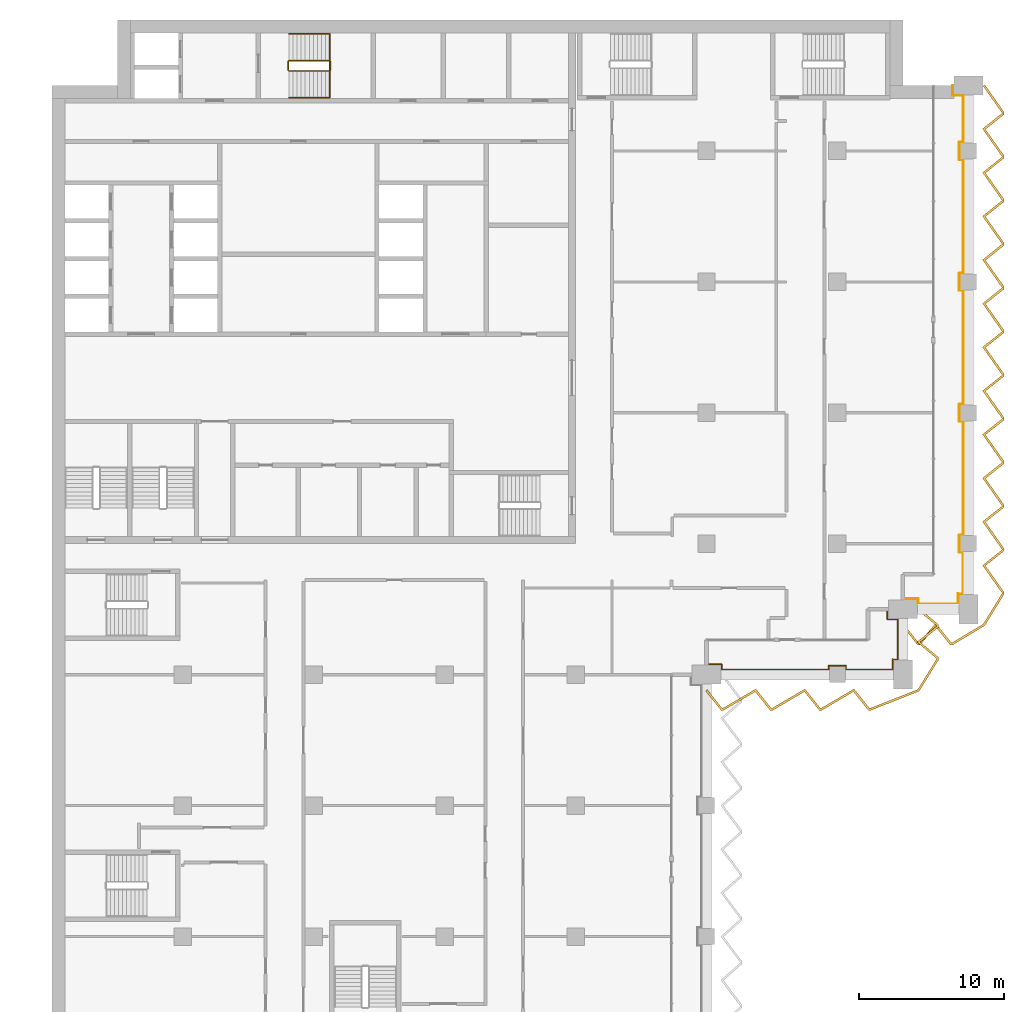
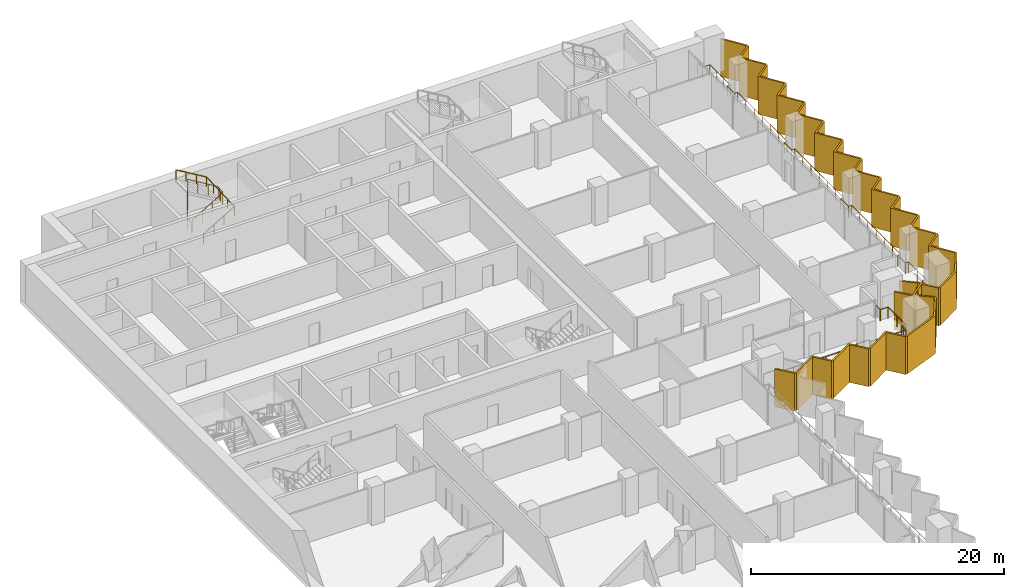
# One storey, part 21 of 22: 4 railings, 2 shading devices.
"""IFC4 building model written with IfcOpenShell, lengths in metres."""

import ifcopenshell
import ifcopenshell.guid

model = None  # the IFC model being written
_history = None  # IfcOwnerHistory: only IFC2X3 demands one
_inside = {}  # id of a spatial element -> (the spatial element, [elements in it])
_under = {}  # id of a project, library or spatial element -> (it, [spatial elements below it])
_declared = {}  # id of a project -> (the project, [libraries it declares])
_typed = {}  # id of a type object -> (the type object, [elements of that type])
_made_of = {}  # id of a material, layer set ... -> (it, [elements and type objects made of it])


def new_model(schema):
    """Start an empty IFC model of exactly this schema.

    Asked for "IFC4X3", IfcOpenShell would pick the latest addendum, in which some entities
    have other attributes; the version numbers below select the first issue.
    IFC2X3 requires an IfcOwnerHistory on every rooted entity: one is made here for all.
    """
    global model, _history
    if schema == "IFC4X3":
        model = ifcopenshell.file(schema_version=(4, 3, 0, 0))
    else:
        model = ifcopenshell.file(schema=schema)
    _inside.clear()
    _under.clear()
    _declared.clear()
    _typed.clear()
    _made_of.clear()
    _history = None
    if model.schema == "IFC2X3":
        org = make("IfcOrganization", Name="unknown")
        user = make(
            "IfcPersonAndOrganization",
            ThePerson=make("IfcPerson", FamilyName="unknown"),
            TheOrganization=org,
        )
        app = make(
            "IfcApplication",
            ApplicationDeveloper=org,
            Version="unknown",
            ApplicationFullName="unknown",
            ApplicationIdentifier="unknown",
        )
        _history = make(
            "IfcOwnerHistory",
            OwningUser=user,
            OwningApplication=app,
            ChangeAction="ADDED",
            CreationDate=0,
        )
    return model


def make(cls, **values):
    """One entity of the class cls with the attributes given. An attribute that is None is left unset."""
    return model.create_entity(
        cls, **{name: value for name, value in values.items() if value is not None}
    )


def rooted(cls, **values):
    """An entity with a GlobalId (a new one), such as an element, a storey or a relation."""
    return make(cls, GlobalId=ifcopenshell.guid.new(), OwnerHistory=_history, **values)


def si_unit(unit_type, name, prefix=None):
    """IfcSIUnit, for example si_unit("LENGTHUNIT", "METRE", prefix="MILLI")."""
    return make("IfcSIUnit", UnitType=unit_type, Prefix=prefix, Name=name)


def assignment(units):
    """IfcUnitAssignment: the units of a project."""
    return None if units is None else make("IfcUnitAssignment", Units=units)


def point(xyz):
    """IfcCartesianPoint."""
    return None if xyz is None else make("IfcCartesianPoint", Coordinates=xyz)


def direction(xyz):
    """IfcDirection."""
    return None if xyz is None else make("IfcDirection", DirectionRatios=xyz)


def frame(location, z_axis=None, x_axis=None):
    """IfcAxis2Placement3D, a coordinate frame: its origin and axes. An axis left out is left unset."""
    return make(
        "IfcAxis2Placement3D",
        Location=point(location),
        Axis=direction(z_axis),
        RefDirection=direction(x_axis),
    )


def frame_2d(location, x_axis=None):
    """IfcAxis2Placement2D, a coordinate frame in the plane: its origin and x axis."""
    return make(
        "IfcAxis2Placement2D", Location=point(location), RefDirection=direction(x_axis)
    )


def origin():
    """The frame at (0, 0, 0) with its axes left unset."""
    return frame((0.0, 0.0, 0.0))


def origin_2d():
    """The frame at (0, 0) in the plane with its x axis left unset."""
    return frame_2d((0.0, 0.0))


def place(relative_to, where):
    """IfcLocalPlacement: puts the frame where relative to a parent placement (None: the world)."""
    return make(
        "IfcLocalPlacement", PlacementRelTo=relative_to, RelativePlacement=where
    )


def context(
    kind, dimensions, precision=None, world=None, true_north=None, identifier=None
):
    """IfcGeometricRepresentationContext, for example the 3D "Model" context."""
    return make(
        "IfcGeometricRepresentationContext",
        ContextIdentifier=identifier,
        ContextType=kind,
        CoordinateSpaceDimension=dimensions,
        Precision=precision,
        WorldCoordinateSystem=world,
        TrueNorth=true_north,
    )


def subcontext(parent, identifier, kind, view, scale=None):
    """IfcGeometricRepresentationSubContext, for example "Body" below "Model"."""
    return make(
        "IfcGeometricRepresentationSubContext",
        ContextIdentifier=identifier,
        ContextType=kind,
        ParentContext=parent,
        TargetScale=scale,
        TargetView=view,
    )


def project(units=None, contexts=None):
    """IfcProject with its units and contexts."""
    return rooted(
        "IfcProject",
        Name="project",
        RepresentationContexts=contexts,
        UnitsInContext=assignment(units),
    )


def spatial(cls, under=None, at=None, **own):
    """A site, building, storey or space (cls), placed at a placement, below another one or the project."""
    s = rooted(cls, ObjectPlacement=at, **own)
    if under is not None:
        _under.setdefault(under.id(), (under, []))[1].append(s)
    return s


def polyline(points):
    """IfcPolyline through the points."""
    return make("IfcPolyline", Points=[point(p) for p in points])


def profile(cls, at=None, kind="AREA", **sizes):
    """A parametric profile (cls). Its sizes go by their IFC names, for example OverallWidth=200.0."""
    return make(cls, ProfileType=kind, Position=at, **sizes)


def circle(**sizes):
    """IfcCircleProfileDef."""
    return profile("IfcCircleProfileDef", **sizes)


def outline(outer, holes=None, kind="AREA"):
    """IfcArbitraryClosedProfileDef: a profile drawn as a closed curve; with holes, ...WithVoids."""
    if holes is None:
        return make("IfcArbitraryClosedProfileDef", ProfileType=kind, OuterCurve=outer)
    return make(
        "IfcArbitraryProfileDefWithVoids",
        ProfileType=kind,
        OuterCurve=outer,
        InnerCurves=holes,
    )


def extrude(swept, where, along, depth):
    """IfcExtrudedAreaSolid: the profile swept, set in the frame where, extruded along a direction by depth."""
    return make(
        "IfcExtrudedAreaSolid",
        SweptArea=swept,
        Position=where,
        ExtrudedDirection=direction(along),
        Depth=depth,
    )


def shape(context_of_items, identifier, shape_type, items):
    """IfcShapeRepresentation: the items that make up one representation, for example the "Body"."""
    return make(
        "IfcShapeRepresentation",
        ContextOfItems=context_of_items,
        RepresentationIdentifier=identifier,
        RepresentationType=shape_type,
        Items=items,
    )


def material(Name=None, Category=None):
    """IfcMaterial."""
    return make("IfcMaterial", Name=Name, Category=Category)


def layer(
    of_material, thickness, ventilated=None, Name=None, Category=None, Priority=None
):
    """IfcMaterialLayer: one layer of a wall or slab, of a material (None: an air gap)."""
    return make(
        "IfcMaterialLayer",
        Material=of_material,
        LayerThickness=thickness,
        IsVentilated=ventilated,
        Name=Name,
        Category=Category,
        Priority=Priority,
    )


def layer_set(layers, Name=None):
    """IfcMaterialLayerSet."""
    return make("IfcMaterialLayerSet", MaterialLayers=layers, LayerSetName=Name)


def made_of(thing, what):
    """Note that an element or type object is made of a material, layer set ...; save() writes the relation."""
    if what is not None:
        _made_of.setdefault(what.id(), (what, []))[1].append(thing)
    return thing


def type_object(cls, material=None, **own):
    """A type object (cls), such as IfcWallType, which elements share."""
    return made_of(rooted(cls, **own), material)


def element(
    cls,
    number,
    at=None,
    inside=None,
    cuts=None,
    type_object=None,
    material=None,
    context=None,
    identifier="Body",
    shape_type=None,
    held_by="IfcProductDefinitionShape",
    body=None,
    shapes=None,
    **own,
):
    """One element of the class cls, such as IfcWall. Its Tag is "e" and its number.

    at: its placement. inside: the storey or other place that contains it. cuts: it is an
    opening in that element (IfcRelVoidsElement). A single representation is given by context,
    identifier, shape_type and body (its items); several are given by shapes. held_by: the class
    of the entity that holds the representations. save() writes the other relations.
    """
    e = rooted(cls, Tag="e%d" % number, ObjectPlacement=at, **own)
    if body is not None:
        shapes = [shape(context, identifier, shape_type, body)]
    if shapes is not None:
        e.Representation = make(held_by, Representations=shapes)
    if inside is not None:
        _inside.setdefault(inside.id(), (inside, []))[1].append(e)
    if cuts is not None:
        rooted(
            "IfcRelVoidsElement", RelatingBuildingElement=cuts, RelatedOpeningElement=e
        )
    if type_object is not None:
        _typed.setdefault(type_object.id(), (type_object, []))[1].append(e)
    return made_of(e, material)


def aggregate(whole, parts):
    """IfcRelAggregates: a whole, such as a stair, and the parts it consists of."""
    return rooted("IfcRelAggregates", RelatingObject=whole, RelatedObjects=parts)


def save(model, path):
    """Write the relations noted so far, then the file.

    IfcRelAggregates (storeys below a building ...), IfcRelContainedInSpatialStructure (elements
    in a storey), IfcRelDefinesByType, IfcRelAssociatesMaterial and IfcRelDeclares: one each for
    every whole, place, type object, material and project.
    """
    for whole, parts in _under.values():
        aggregate(whole, parts)
    for where, things in _inside.values():
        rooted(
            "IfcRelContainedInSpatialStructure",
            RelatedElements=things,
            RelatingStructure=where,
        )
    for kind, things in _typed.values():
        rooted("IfcRelDefinesByType", RelatedObjects=things, RelatingType=kind)
    for what, things in _made_of.values():
        rooted("IfcRelAssociatesMaterial", RelatedObjects=things, RelatingMaterial=what)
    for by, libraries in _declared.values():
        rooted("IfcRelDeclares", RelatingContext=by, RelatedDefinitions=libraries)
    model.write(path)


model = new_model("IFC4")

# Units and contexts
model_context = context("Model", 3, precision=1e-05, world=origin(), true_north=direction((0.0, 1.0)))
body_context = subcontext(model_context, "Body", "Model", "MODEL_VIEW")
ifc_project = project(units=[si_unit("LENGTHUNIT", "METRE"), si_unit("AREAUNIT", "SQUARE_METRE"), si_unit("VOLUMEUNIT", "CUBIC_METRE"), si_unit("PLANEANGLEUNIT", "RADIAN"), si_unit("MASSUNIT", "GRAM", prefix="KILO")], contexts=[model_context])

# Site, building, storey
site_placement = place(None, origin())
site = spatial("IfcSite", under=ifc_project, at=site_placement, CompositionType="ELEMENT")
building_placement = place(site_placement, origin())
building = spatial("IfcBuilding", under=site, at=building_placement, Name="Hunhe Ridgeline Campus", CompositionType="ELEMENT")
storey_placement = place(building_placement, frame((0.0, 0.0, 159.699951171875)))
storey = spatial("IfcBuildingStorey", under=building, at=storey_placement, Name="L40", CompositionType="ELEMENT", Elevation=159.699951171875)

# Railings
ifc_material_1 = material(Name="Steel Q355", Category="steel")
railing_type_1 = type_object("IfcRailingType", Name="Loggia guard 1100 Steel Q355", PredefinedType="GUARDRAIL", material=ifc_material_1)
railing_1_placement = place(storey_placement, frame((45.0, 54.719970703125, 0.0)))
element("IfcRailing", 1, at=railing_1_placement, inside=storey, type_object=railing_type_1, Name="Loggia guard 2", PredefinedType="GUARDRAIL", context=body_context, shape_type="SweptSolid", body=[
    extrude(circle(Radius=0.02392578125, at=origin_2d()), frame((0.0, 0.0, 1.076171875), z_axis=(1.0, 0.0, 0.0), x_axis=(0.0, 1.0, 0.0)), (0.0, 0.0, 1.0), 1.050048828125),
    extrude(circle(Radius=0.02392578125, at=origin_2d()), frame((1.050048828125, 0.0, 1.076171875), z_axis=(0.0, -1.0, 0.0), x_axis=(1.0, 0.0, 0.0)), (0.0, 0.0, 1.0), 0.369873046875),
    extrude(circle(Radius=0.02392578125, at=origin_2d()), frame((1.050048828125, -0.369873046875, 1.076171875), z_axis=(1.0, 0.0, 0.0), x_axis=(0.0, 1.0, 0.0)), (0.0, 0.0, 1.0), 7.349853515625),
    extrude(circle(Radius=0.02392578125, at=origin_2d()), frame((8.39990234375, -0.369873046875, 1.076171875), z_axis=(0.0, 1.0, 0.0), x_axis=(-1.0, 0.0, 0.0)), (0.0, 0.0, 1.0), 0.27001953125),
    extrude(circle(Radius=0.02392578125, at=origin_2d()), frame((8.39990234375, -0.099853515625, 1.076171875), z_axis=(1.0, 0.0, 0.0), x_axis=(0.0, 1.0, 0.0)), (0.0, 0.0, 1.0), 1.2001953125),
    extrude(circle(Radius=0.02392578125, at=origin_2d()), frame((9.60009765625, -0.099853515625, 1.076171875), z_axis=(0.0, -1.0, 0.0), x_axis=(1.0, 0.0, 0.0)), (0.0, 0.0, 1.0), 0.27001953125),
    extrude(circle(Radius=0.02392578125, at=origin_2d()), frame((9.60009765625, -0.369873046875, 1.076171875), z_axis=(1.0, 0.0, 0.0), x_axis=(0.0, 1.0, 0.0)), (0.0, 0.0, 1.0), 3.199951171875),
    extrude(circle(Radius=0.02392578125, at=origin_2d()), frame((12.800048828125, -0.369873046875, 1.076171875), z_axis=(0.0, 1.0, 0.0), x_axis=(-1.0, 0.0, 0.0)), (0.0, 0.0, 1.0), 0.719970703125),
    extrude(circle(Radius=0.02392578125, at=origin_2d()), frame((12.800048828125, 0.35009765625, 1.076171875), z_axis=(-0.057089444596, -0.998369067688, 0.0), x_axis=(0.998369067688, -0.057089444596, 0.0)), (0.0, 0.0, 1.0), 0.3505859375),
    extrude(circle(Radius=0.02392578125, at=origin_2d()), frame((12.780029296875, 0.0, 1.076171875), z_axis=(0.0, 1.0, 0.0), x_axis=(-1.0, 0.0, 0.0)), (0.0, 0.0, 1.0), 0.330078125),
    extrude(circle(Radius=0.02392578125, at=origin_2d()), frame((12.780029296875, 0.330078125, 1.076171875), z_axis=(1.0, 0.0, 0.0), x_axis=(0.0, 1.0, 0.0)), (0.0, 0.0, 1.0), 0.369873046875),
    extrude(circle(Radius=0.02392578125, at=origin_2d()), frame((13.14990234375, 0.330078125, 1.076171875), z_axis=(0.0, 1.0, 0.0), x_axis=(-1.0, 0.0, 0.0)), (0.0, 0.0, 1.0), 2.75),
    extrude(circle(Radius=0.02392578125, at=origin_2d()), frame((13.14990234375, 3.080078125, 1.076171875), z_axis=(-1.0, 0.0, 0.0), x_axis=(0.0, -1.0, 0.0)), (0.0, 0.0, 1.0), 0.719970703125),
    extrude(circle(Radius=0.02392578125, at=origin_2d()), frame((12.429931640625, 3.080078125, 1.076171875), z_axis=(0.0, 1.0, 0.0), x_axis=(-1.0, 0.0, 0.0)), (0.0, 0.0, 1.0), 0.699951171875),
    extrude(circle(Radius=0.02099609375, at=origin_2d()), origin(), (0.0, 0.0, 1.0), 1.052001953125),
    extrude(circle(Radius=0.02099609375, at=origin_2d()), frame((1.050048828125, 0.0, 0.0)), (0.0, 0.0, 1.0), 1.052001953125),
    extrude(circle(Radius=0.02099609375, at=origin_2d()), frame((1.050048828125, -0.369873046875, 0.0)), (0.0, 0.0, 1.0), 1.052001953125),
    extrude(circle(Radius=0.02099609375, at=origin_2d()), frame((2.52001953125, -0.369873046875, 0.0)), (0.0, 0.0, 1.0), 1.052001953125),
    extrude(circle(Radius=0.02099609375, at=origin_2d()), frame((3.989990234375, -0.369873046875, 0.0)), (0.0, 0.0, 1.0), 1.052001953125),
    extrude(circle(Radius=0.02099609375, at=origin_2d()), frame((5.4599609375, -0.369873046875, 0.0)), (0.0, 0.0, 1.0), 1.052001953125),
    extrude(circle(Radius=0.02099609375, at=origin_2d()), frame((6.929931640625, -0.369873046875, 0.0)), (0.0, 0.0, 1.0), 1.052001953125),
    extrude(circle(Radius=0.02099609375, at=origin_2d()), frame((8.39990234375, -0.369873046875, 0.0)), (0.0, 0.0, 1.0), 1.052001953125),
    extrude(circle(Radius=0.02099609375, at=origin_2d()), frame((8.39990234375, -0.099853515625, 0.0)), (0.0, 0.0, 1.0), 1.052001953125),
    extrude(circle(Radius=0.02099609375, at=origin_2d()), frame((9.60009765625, -0.099853515625, 0.0)), (0.0, 0.0, 1.0), 1.052001953125),
    extrude(circle(Radius=0.02099609375, at=origin_2d()), frame((9.60009765625, -0.369873046875, 0.0)), (0.0, 0.0, 1.0), 1.052001953125),
    extrude(circle(Radius=0.02099609375, at=origin_2d()), frame((10.666748046875, -0.369873046875, 0.0)), (0.0, 0.0, 1.0), 1.052001953125),
    extrude(circle(Radius=0.02099609375, at=origin_2d()), frame((11.7333984375, -0.369873046875, 0.0)), (0.0, 0.0, 1.0), 1.052001953125),
    extrude(circle(Radius=0.02099609375, at=origin_2d()), frame((12.800048828125, -0.369873046875, 0.0)), (0.0, 0.0, 1.0), 1.052001953125),
    extrude(circle(Radius=0.02099609375, at=origin_2d()), frame((12.800048828125, 0.35009765625, 0.0)), (0.0, 0.0, 1.0), 1.052001953125),
    extrude(circle(Radius=0.02099609375, at=origin_2d()), frame((12.780029296875, 0.0, 0.0)), (0.0, 0.0, 1.0), 1.052001953125),
    extrude(circle(Radius=0.02099609375, at=origin_2d()), frame((12.780029296875, 0.330078125, 0.0)), (0.0, 0.0, 1.0), 1.052001953125),
    extrude(circle(Radius=0.02099609375, at=origin_2d()), frame((13.14990234375, 0.330078125, 0.0)), (0.0, 0.0, 1.0), 1.052001953125),
    extrude(circle(Radius=0.02099609375, at=origin_2d()), frame((13.14990234375, 1.705078125, 0.0)), (0.0, 0.0, 1.0), 1.052001953125),
    extrude(circle(Radius=0.02099609375, at=origin_2d()), frame((13.14990234375, 3.080078125, 0.0)), (0.0, 0.0, 1.0), 1.052001953125),
    extrude(circle(Radius=0.02099609375, at=origin_2d()), frame((12.429931640625, 3.080078125, 0.0)), (0.0, 0.0, 1.0), 1.052001953125),
    extrude(circle(Radius=0.02099609375, at=origin_2d()), frame((12.429931640625, 3.780029296875, 0.0)), (0.0, 0.0, 1.0), 1.052001953125),
])
railing_2_placement = place(storey_placement, frame((58.5, 59.219970703125, 0.0)))
element("IfcRailing", 2, at=railing_2_placement, inside=storey, type_object=railing_type_1, Name="Loggia guard 3", PredefinedType="GUARDRAIL", context=body_context, shape_type="SweptSolid", body=[
    extrude(circle(Radius=0.02392578125, at=origin_2d()), frame((0.0, 0.0, 1.076171875), z_axis=(1.0, 0.0, 0.0), x_axis=(0.0, 1.0, 0.0)), (0.0, 0.0, 1.0), 1.050048828125),
    extrude(circle(Radius=0.02392578125, at=origin_2d()), frame((1.050048828125, 0.0, 1.076171875), z_axis=(0.0, -1.0, 0.0), x_axis=(1.0, 0.0, 0.0)), (0.0, 0.0, 1.0), 0.369873046875),
    extrude(circle(Radius=0.02392578125, at=origin_2d()), frame((1.050048828125, -0.369873046875, 1.076171875), z_axis=(1.0, 0.0, 0.0), x_axis=(0.0, 1.0, 0.0)), (0.0, 0.0, 1.0), 2.75),
    extrude(circle(Radius=0.02392578125, at=origin_2d()), frame((3.800048828125, -0.369873046875, 1.076171875), z_axis=(0.0, 1.0, 0.0), x_axis=(-1.0, 0.0, 0.0)), (0.0, 0.0, 1.0), 0.719970703125),
    extrude(circle(Radius=0.02392578125, at=origin_2d()), frame((3.800048828125, 0.35009765625, 1.076171875), z_axis=(-0.057089444596, -0.998369067688, 0.0), x_axis=(0.998369067688, -0.057089444596, 0.0)), (0.0, 0.0, 1.0), 0.3505859375),
    extrude(circle(Radius=0.02392578125, at=origin_2d()), frame((3.780029296875, 0.0, 1.076171875), z_axis=(0.0, 1.0, 0.0), x_axis=(-1.0, 0.0, 0.0)), (0.0, 0.0, 1.0), 0.330078125),
    extrude(circle(Radius=0.02392578125, at=origin_2d()), frame((3.780029296875, 0.330078125, 1.076171875), z_axis=(1.0, 0.0, 0.0), x_axis=(0.0, 1.0, 0.0)), (0.0, 0.0, 1.0), 0.369873046875),
    extrude(circle(Radius=0.02392578125, at=origin_2d()), frame((4.14990234375, 0.330078125, 1.076171875), z_axis=(0.0, 1.0, 0.0), x_axis=(-1.0, 0.0, 0.0)), (0.0, 0.0, 1.0), 2.849853515625),
    extrude(circle(Radius=0.02392578125, at=origin_2d()), frame((4.14990234375, 3.179931640625, 1.076171875), z_axis=(-1.0, 0.0, 0.0), x_axis=(0.0, -1.0, 0.0)), (0.0, 0.0, 1.0), 0.27001953125),
    extrude(circle(Radius=0.02392578125, at=origin_2d()), frame((3.8798828125, 3.179931640625, 1.076171875), z_axis=(0.0, 1.0, 0.0), x_axis=(-1.0, 0.0, 0.0)), (0.0, 0.0, 1.0), 1.2001953125),
    extrude(circle(Radius=0.02392578125, at=origin_2d()), frame((3.8798828125, 4.380126953125, 1.076171875), z_axis=(1.0, 0.0, 0.0), x_axis=(0.0, 1.0, 0.0)), (0.0, 0.0, 1.0), 0.27001953125),
    extrude(circle(Radius=0.02392578125, at=origin_2d()), frame((4.14990234375, 4.380126953125, 1.076171875), z_axis=(0.0, 1.0, 0.0), x_axis=(-1.0, 0.0, 0.0)), (0.0, 0.0, 1.0), 7.7998046875),
    extrude(circle(Radius=0.02392578125, at=origin_2d()), frame((4.14990234375, 12.179931640625, 1.076171875), z_axis=(-1.0, 0.0, 0.0), x_axis=(0.0, -1.0, 0.0)), (0.0, 0.0, 1.0), 0.27001953125),
    extrude(circle(Radius=0.02392578125, at=origin_2d()), frame((3.8798828125, 12.179931640625, 1.076171875), z_axis=(0.0, 1.0, 0.0), x_axis=(-1.0, 0.0, 0.0)), (0.0, 0.0, 1.0), 1.2001953125),
    extrude(circle(Radius=0.02392578125, at=origin_2d()), frame((3.8798828125, 13.380126953125, 1.076171875), z_axis=(1.0, 0.0, 0.0), x_axis=(0.0, 1.0, 0.0)), (0.0, 0.0, 1.0), 0.27001953125),
    extrude(circle(Radius=0.02392578125, at=origin_2d()), frame((4.14990234375, 13.380126953125, 1.076171875), z_axis=(0.0, 1.0, 0.0), x_axis=(-1.0, 0.0, 0.0)), (0.0, 0.0, 1.0), 7.7998046875),
    extrude(circle(Radius=0.02392578125, at=origin_2d()), frame((4.14990234375, 21.179931640625, 1.076171875), z_axis=(-1.0, 0.0, 0.0), x_axis=(0.0, -1.0, 0.0)), (0.0, 0.0, 1.0), 0.27001953125),
    extrude(circle(Radius=0.02392578125, at=origin_2d()), frame((3.8798828125, 21.179931640625, 1.076171875), z_axis=(0.0, 1.0, 0.0), x_axis=(-1.0, 0.0, 0.0)), (0.0, 0.0, 1.0), 1.2001953125),
    extrude(circle(Radius=0.02392578125, at=origin_2d()), frame((3.8798828125, 22.380126953125, 1.076171875), z_axis=(1.0, 0.0, 0.0), x_axis=(0.0, 1.0, 0.0)), (0.0, 0.0, 1.0), 0.27001953125),
    extrude(circle(Radius=0.02392578125, at=origin_2d()), frame((4.14990234375, 22.380126953125, 1.076171875), z_axis=(0.0, 1.0, 0.0), x_axis=(-1.0, 0.0, 0.0)), (0.0, 0.0, 1.0), 7.7998046875),
    extrude(circle(Radius=0.02392578125, at=origin_2d()), frame((4.14990234375, 30.179931640625, 1.076171875), z_axis=(-1.0, 0.0, 0.0), x_axis=(0.0, -1.0, 0.0)), (0.0, 0.0, 1.0), 0.27001953125),
    extrude(circle(Radius=0.02392578125, at=origin_2d()), frame((3.8798828125, 30.179931640625, 1.076171875), z_axis=(0.0, 1.0, 0.0), x_axis=(-1.0, 0.0, 0.0)), (0.0, 0.0, 1.0), 1.2001953125),
    extrude(circle(Radius=0.02392578125, at=origin_2d()), frame((3.8798828125, 31.380126953125, 1.076171875), z_axis=(1.0, 0.0, 0.0), x_axis=(0.0, 1.0, 0.0)), (0.0, 0.0, 1.0), 0.27001953125),
    extrude(circle(Radius=0.02392578125, at=origin_2d()), frame((4.14990234375, 31.380126953125, 1.076171875), z_axis=(0.0, 1.0, 0.0), x_axis=(-1.0, 0.0, 0.0)), (0.0, 0.0, 1.0), 3.199951171875),
    extrude(circle(Radius=0.02392578125, at=origin_2d()), frame((4.14990234375, 34.580078125, 1.076171875), z_axis=(-1.0, 0.0, 0.0), x_axis=(0.0, -1.0, 0.0)), (0.0, 0.0, 1.0), 0.719970703125),
    extrude(circle(Radius=0.02392578125, at=origin_2d()), frame((3.429931640625, 34.580078125, 1.076171875), z_axis=(0.0, 1.0, 0.0), x_axis=(-1.0, 0.0, 0.0)), (0.0, 0.0, 1.0), 0.699951171875),
    extrude(circle(Radius=0.02099609375, at=origin_2d()), origin(), (0.0, 0.0, 1.0), 1.052001953125),
    extrude(circle(Radius=0.02099609375, at=origin_2d()), frame((1.050048828125, 0.0, 0.0)), (0.0, 0.0, 1.0), 1.052001953125),
    extrude(circle(Radius=0.02099609375, at=origin_2d()), frame((1.050048828125, -0.369873046875, 0.0)), (0.0, 0.0, 1.0), 1.052001953125),
    extrude(circle(Radius=0.02099609375, at=origin_2d()), frame((2.425048828125, -0.369873046875, 0.0)), (0.0, 0.0, 1.0), 1.052001953125),
    extrude(circle(Radius=0.02099609375, at=origin_2d()), frame((3.800048828125, -0.369873046875, 0.0)), (0.0, 0.0, 1.0), 1.052001953125),
    extrude(circle(Radius=0.02099609375, at=origin_2d()), frame((3.800048828125, 0.35009765625, 0.0)), (0.0, 0.0, 1.0), 1.052001953125),
    extrude(circle(Radius=0.02099609375, at=origin_2d()), frame((3.780029296875, 0.0, 0.0)), (0.0, 0.0, 1.0), 1.052001953125),
    extrude(circle(Radius=0.02099609375, at=origin_2d()), frame((3.780029296875, 0.330078125, 0.0)), (0.0, 0.0, 1.0), 1.052001953125),
    extrude(circle(Radius=0.02099609375, at=origin_2d()), frame((4.14990234375, 0.330078125, 0.0)), (0.0, 0.0, 1.0), 1.052001953125),
    extrude(circle(Radius=0.02099609375, at=origin_2d()), frame((4.14990234375, 1.7548828125, 0.0)), (0.0, 0.0, 1.0), 1.052001953125),
    extrude(circle(Radius=0.02099609375, at=origin_2d()), frame((4.14990234375, 3.179931640625, 0.0)), (0.0, 0.0, 1.0), 1.052001953125),
    extrude(circle(Radius=0.02099609375, at=origin_2d()), frame((3.8798828125, 3.179931640625, 0.0)), (0.0, 0.0, 1.0), 1.052001953125),
    extrude(circle(Radius=0.02099609375, at=origin_2d()), frame((3.8798828125, 4.380126953125, 0.0)), (0.0, 0.0, 1.0), 1.052001953125),
    extrude(circle(Radius=0.02099609375, at=origin_2d()), frame((4.14990234375, 4.380126953125, 0.0)), (0.0, 0.0, 1.0), 1.052001953125),
    extrude(circle(Radius=0.02099609375, at=origin_2d()), frame((4.14990234375, 5.68017578125, 0.0)), (0.0, 0.0, 1.0), 1.052001953125),
    extrude(circle(Radius=0.02099609375, at=origin_2d()), frame((4.14990234375, 6.97998046875, 0.0)), (0.0, 0.0, 1.0), 1.052001953125),
    extrude(circle(Radius=0.02099609375, at=origin_2d()), frame((4.14990234375, 8.280029296875, 0.0)), (0.0, 0.0, 1.0), 1.052001953125),
    extrude(circle(Radius=0.02099609375, at=origin_2d()), frame((4.14990234375, 9.580078125, 0.0)), (0.0, 0.0, 1.0), 1.052001953125),
    extrude(circle(Radius=0.02099609375, at=origin_2d()), frame((4.14990234375, 10.8798828125, 0.0)), (0.0, 0.0, 1.0), 1.052001953125),
    extrude(circle(Radius=0.02099609375, at=origin_2d()), frame((4.14990234375, 12.179931640625, 0.0)), (0.0, 0.0, 1.0), 1.052001953125),
    extrude(circle(Radius=0.02099609375, at=origin_2d()), frame((3.8798828125, 12.179931640625, 0.0)), (0.0, 0.0, 1.0), 1.052001953125),
    extrude(circle(Radius=0.02099609375, at=origin_2d()), frame((3.8798828125, 13.380126953125, 0.0)), (0.0, 0.0, 1.0), 1.052001953125),
    extrude(circle(Radius=0.02099609375, at=origin_2d()), frame((4.14990234375, 13.380126953125, 0.0)), (0.0, 0.0, 1.0), 1.052001953125),
    extrude(circle(Radius=0.02099609375, at=origin_2d()), frame((4.14990234375, 14.68017578125, 0.0)), (0.0, 0.0, 1.0), 1.052001953125),
    extrude(circle(Radius=0.02099609375, at=origin_2d()), frame((4.14990234375, 15.97998046875, 0.0)), (0.0, 0.0, 1.0), 1.052001953125),
    extrude(circle(Radius=0.02099609375, at=origin_2d()), frame((4.14990234375, 17.280029296875, 0.0)), (0.0, 0.0, 1.0), 1.052001953125),
    extrude(circle(Radius=0.02099609375, at=origin_2d()), frame((4.14990234375, 18.580078125, 0.0)), (0.0, 0.0, 1.0), 1.052001953125),
    extrude(circle(Radius=0.02099609375, at=origin_2d()), frame((4.14990234375, 19.8798828125, 0.0)), (0.0, 0.0, 1.0), 1.052001953125),
    extrude(circle(Radius=0.02099609375, at=origin_2d()), frame((4.14990234375, 21.179931640625, 0.0)), (0.0, 0.0, 1.0), 1.052001953125),
    extrude(circle(Radius=0.02099609375, at=origin_2d()), frame((3.8798828125, 21.179931640625, 0.0)), (0.0, 0.0, 1.0), 1.052001953125),
    extrude(circle(Radius=0.02099609375, at=origin_2d()), frame((3.8798828125, 22.380126953125, 0.0)), (0.0, 0.0, 1.0), 1.052001953125),
    extrude(circle(Radius=0.02099609375, at=origin_2d()), frame((4.14990234375, 22.380126953125, 0.0)), (0.0, 0.0, 1.0), 1.052001953125),
    extrude(circle(Radius=0.02099609375, at=origin_2d()), frame((4.14990234375, 23.68017578125, 0.0)), (0.0, 0.0, 1.0), 1.052001953125),
    extrude(circle(Radius=0.02099609375, at=origin_2d()), frame((4.14990234375, 24.97998046875, 0.0)), (0.0, 0.0, 1.0), 1.052001953125),
    extrude(circle(Radius=0.02099609375, at=origin_2d()), frame((4.14990234375, 26.280029296875, 0.0)), (0.0, 0.0, 1.0), 1.052001953125),
    extrude(circle(Radius=0.02099609375, at=origin_2d()), frame((4.14990234375, 27.580078125, 0.0)), (0.0, 0.0, 1.0), 1.052001953125),
    extrude(circle(Radius=0.02099609375, at=origin_2d()), frame((4.14990234375, 28.8798828125, 0.0)), (0.0, 0.0, 1.0), 1.052001953125),
    extrude(circle(Radius=0.02099609375, at=origin_2d()), frame((4.14990234375, 30.179931640625, 0.0)), (0.0, 0.0, 1.0), 1.052001953125),
    extrude(circle(Radius=0.02099609375, at=origin_2d()), frame((3.8798828125, 30.179931640625, 0.0)), (0.0, 0.0, 1.0), 1.052001953125),
    extrude(circle(Radius=0.02099609375, at=origin_2d()), frame((3.8798828125, 31.380126953125, 0.0)), (0.0, 0.0, 1.0), 1.052001953125),
    extrude(circle(Radius=0.02099609375, at=origin_2d()), frame((4.14990234375, 31.380126953125, 0.0)), (0.0, 0.0, 1.0), 1.052001953125),
    extrude(circle(Radius=0.02099609375, at=origin_2d()), frame((4.14990234375, 32.44677734375, 0.0)), (0.0, 0.0, 1.0), 1.052001953125),
    extrude(circle(Radius=0.02099609375, at=origin_2d()), frame((4.14990234375, 33.513427734375, 0.0)), (0.0, 0.0, 1.0), 1.052001953125),
    extrude(circle(Radius=0.02099609375, at=origin_2d()), frame((4.14990234375, 34.580078125, 0.0)), (0.0, 0.0, 1.0), 1.052001953125),
    extrude(circle(Radius=0.02099609375, at=origin_2d()), frame((3.429931640625, 34.580078125, 0.0)), (0.0, 0.0, 1.0), 1.052001953125),
    extrude(circle(Radius=0.02099609375, at=origin_2d()), frame((3.429931640625, 35.280029296875, 0.0)), (0.0, 0.0, 1.0), 1.052001953125),
])

# Shading devices
ifc_material_2 = material(Name="Concrete C50", Category="concrete")
ifc_layer = layer(ifc_material_2, 0.14990234375)
ifc_layer_set = layer_set([ifc_layer], Name="Sawtooth concrete fin 150 Concrete C50")
shading_device_type = type_object("IfcShadingDeviceType", Name="Sawtooth concrete fin 150 Concrete C50", PredefinedType="USERDEFINED", material=ifc_layer_set)
shading_device_1_placement = place(storey_placement, frame((0.0, 0.0, -0.949951171875)))
element("IfcShadingDevice", 3, at=shading_device_1_placement, inside=storey, type_object=shading_device_type, Name="Concrete fin screen 2", ObjectType="FIN", PredefinedType="USERDEFINED", context=body_context, shape_type="SweptSolid", body=[
    extrude(outline(polyline([(45.05859375, 52.9716796875), (44.94140625, 52.878173828125), (46.000732421875, 51.550048828125), (46.17724609375, 51.550048828125), (48.35693359375, 52.827392578125), (49.375732421875, 51.550048828125), (49.55224609375, 51.550048828125), (51.73193359375, 52.827392578125), (52.750732421875, 51.550048828125), (52.92724609375, 51.550048828125), (55.10693359375, 52.827392578125), (56.125732421875, 51.550048828125), (56.296142578125, 51.550048828125), (59.625732421875, 52.864501953125), (60.949951171875, 55.015625), (60.949951171875, 55.19189453125), (59.693359375, 56.24853515625), (60.949951171875, 57.250732421875), (60.949951171875, 57.44189453125), (59.623291015625, 58.557373046875), (59.526611328125, 58.442626953125), (60.800048828125, 57.371826171875), (60.800048828125, 57.322998046875), (59.45654296875, 56.25146484375), (60.800048828125, 55.121826171875), (60.800048828125, 55.05810546875), (59.524169921875, 52.985595703125), (56.267578125, 51.699951171875), (56.197998046875, 51.699951171875), (55.14306640625, 53.0224609375), (52.886474609375, 51.699951171875), (52.822998046875, 51.699951171875), (51.76806640625, 53.0224609375), (49.511474609375, 51.699951171875), (49.447998046875, 51.699951171875), (48.39306640625, 53.0224609375), (46.136474609375, 51.699951171875), (46.072998046875, 51.699951171875), (45.05859375, 52.9716796875)])), origin(), (0.0, 0.0, 1.0), 3.64990234375),
])
shading_device_2_placement = place(storey_placement, frame((0.0, 0.0, -0.949951171875)))
element("IfcShadingDevice", 4, at=shading_device_2_placement, inside=storey, type_object=shading_device_type, Name="Concrete fin screen 3", ObjectType="FIN", PredefinedType="USERDEFINED", context=body_context, shape_type="SweptSolid", body=[
    extrude(outline(polyline([(58.55859375, 57.4716796875), (58.44140625, 57.378173828125), (59.500732421875, 56.050048828125), (59.69189453125, 56.050048828125), (60.74853515625, 57.306640625), (61.750732421875, 56.050048828125), (61.927490234375, 56.050048828125), (64.129150390625, 57.3701171875), (65.449951171875, 59.515625), (65.449951171875, 59.6806640625), (64.177001953125, 61.4853515625), (65.449951171875, 62.500732421875), (65.449951171875, 62.6806640625), (64.177001953125, 64.4853515625), (65.449951171875, 65.500732421875), (65.449951171875, 65.6806640625), (64.177001953125, 67.4853515625), (65.449951171875, 68.500732421875), (65.449951171875, 68.6806640625), (64.177001953125, 70.4853515625), (65.449951171875, 71.500732421875), (65.449951171875, 71.6806640625), (64.177001953125, 73.4853515625), (65.449951171875, 74.500732421875), (65.449951171875, 74.6806640625), (64.177001953125, 76.4853515625), (65.449951171875, 77.500732421875), (65.449951171875, 77.6806640625), (64.177001953125, 79.4853515625), (65.449951171875, 80.500732421875), (65.449951171875, 80.6806640625), (64.177001953125, 82.4853515625), (65.449951171875, 83.500732421875), (65.449951171875, 83.6806640625), (64.177001953125, 85.4853515625), (65.449951171875, 86.500732421875), (65.449951171875, 86.6806640625), (64.177001953125, 88.4853515625), (65.449951171875, 89.500732421875), (65.449951171875, 89.6806640625), (64.177001953125, 91.4853515625), (65.449951171875, 92.500732421875), (65.449951171875, 92.6806640625), (64.13623046875, 94.543212890625), (64.013671875, 94.456787109375), (65.300048828125, 92.633056640625), (65.300048828125, 92.572998046875), (63.972900390625, 91.5146484375), (65.300048828125, 89.633056640625), (65.300048828125, 89.572998046875), (63.972900390625, 88.5146484375), (65.300048828125, 86.633056640625), (65.300048828125, 86.572998046875), (63.972900390625, 85.5146484375), (65.300048828125, 83.633056640625), (65.300048828125, 83.572998046875), (63.972900390625, 82.5146484375), (65.300048828125, 80.633056640625), (65.300048828125, 80.572998046875), (63.972900390625, 79.5146484375), (65.300048828125, 77.633056640625), (65.300048828125, 77.572998046875), (63.972900390625, 76.5146484375), (65.300048828125, 74.633056640625), (65.300048828125, 74.572998046875), (63.972900390625, 73.5146484375), (65.300048828125, 71.633056640625), (65.300048828125, 71.572998046875), (63.972900390625, 70.5146484375), (65.300048828125, 68.633056640625), (65.300048828125, 68.572998046875), (63.972900390625, 67.5146484375), (65.300048828125, 65.633056640625), (65.300048828125, 65.572998046875), (63.972900390625, 64.5146484375), (65.300048828125, 62.633056640625), (65.300048828125, 62.572998046875), (63.972900390625, 61.5146484375), (65.300048828125, 59.633056640625), (65.300048828125, 59.55810546875), (64.020751953125, 57.47998046875), (61.885986328125, 56.199951171875), (61.822998046875, 56.199951171875), (60.75146484375, 57.54345703125), (59.621826171875, 56.199951171875), (59.572998046875, 56.199951171875), (58.55859375, 57.4716796875)])), origin(), (0.0, 0.0, 1.0), 3.64990234375),
])

# Railings
ifc_material_3 = material(Name="Stainless steel balustrade", Category="steel")
railing_type_2 = type_object("IfcRailingType", Name="Stair guard 1100 stainless", PredefinedType="GUARDRAIL", material=ifc_material_3)
railing_3_placement = place(storey_placement, frame((16.300048828125, 95.5, 0.168212890625)))
element("IfcRailing", 5, at=railing_3_placement, inside=storey, type_object=railing_type_2, Name="L40 stair S1 guard", PredefinedType="GUARDRAIL", context=body_context, shape_type="SweptSolid", body=[
    extrude(circle(Radius=0.02392578125, at=origin_2d()), frame((0.0, 0.0, 1.076171875), z_axis=(0.857242210791, 0.0, 0.514913383045), x_axis=(0.0, 1.0, 0.0)), (0.0, 0.0, 1.0), 3.266357421875),
    extrude(circle(Radius=0.02392578125, at=origin_2d()), frame((2.800048828125, 0.0, 2.7578125), z_axis=(0.705375805398, 0.708833529934, 0.0), x_axis=(-0.708833529934, 0.705375805398, 0.0)), (0.0, 0.0, 1.0), 0.070556640625),
    extrude(circle(Radius=0.02392578125, at=origin_2d()), frame((2.849853515625, 0.050048828125, 2.7578125), z_axis=(0.0, 1.0, 0.0), x_axis=(-1.0, 0.0, 0.0)), (0.0, 0.0, 1.0), 0.599853515625),
    extrude(circle(Radius=0.02392578125, at=origin_2d()), frame((2.849853515625, 0.64990234375, 2.7578125), z_axis=(-0.273006030465, 0.27434429532, 0.922064485248), x_axis=(-0.708833529934, -0.705375805398, 0.0)), (0.0, 0.0, 1.0), 0.182373046875),
    extrude(circle(Radius=0.02392578125, at=origin_2d()), frame((2.800048828125, 0.699951171875, 2.92626953125), z_axis=(-0.857275202839, 0.0, 0.514858452973), x_axis=(0.0, -1.0, 0.0)), (0.0, 0.0, 1.0), 3.26611328125),
    extrude(circle(Radius=0.02392578125, at=origin_2d()), frame((0.0, 0.699951171875, 4.60791015625), z_axis=(-0.013524414389, -0.013524414389, -0.999817073484), x_axis=(0.707106781187, -0.707106781187, 0.0)), (0.0, 0.0, 1.0), 3.70068359375),
    extrude(circle(Radius=0.02392578125, at=origin_2d()), frame((-0.050048828125, 0.64990234375, 0.90771484375), z_axis=(0.0, -1.0, 0.0), x_axis=(1.0, 0.0, 0.0)), (0.0, 0.0, 1.0), 0.599853515625),
    extrude(circle(Radius=0.02099609375, at=origin_2d()), origin(), (0.0, 0.0, 1.0), 1.052001953125),
    extrude(circle(Radius=0.02099609375, at=origin_2d()), frame((0.933349609375, 0.0, 0.560546875)), (0.0, 0.0, 1.0), 1.052001953125),
    extrude(circle(Radius=0.02099609375, at=origin_2d()), frame((1.86669921875, 0.0, 1.121337890625)), (0.0, 0.0, 1.0), 1.052001953125),
    extrude(circle(Radius=0.02099609375, at=origin_2d()), frame((2.800048828125, 0.0, 1.681884765625)), (0.0, 0.0, 1.0), 1.052001953125),
    extrude(circle(Radius=0.02099609375, at=origin_2d()), frame((2.849853515625, 0.050048828125, 1.681884765625)), (0.0, 0.0, 1.0), 1.052001953125),
    extrude(circle(Radius=0.02099609375, at=origin_2d()), frame((2.849853515625, 0.64990234375, 1.681884765625)), (0.0, 0.0, 1.0), 1.052001953125),
    extrude(circle(Radius=0.02099609375, at=origin_2d()), frame((2.800048828125, 0.699951171875, 1.85009765625)), (0.0, 0.0, 1.0), 1.052001953125),
    extrude(circle(Radius=0.02099609375, at=origin_2d()), frame((1.86669921875, 0.699951171875, 2.41064453125)), (0.0, 0.0, 1.0), 1.052001953125),
    extrude(circle(Radius=0.02099609375, at=origin_2d()), frame((0.933349609375, 0.699951171875, 2.97119140625)), (0.0, 0.0, 1.0), 1.052001953125),
    extrude(circle(Radius=0.02099609375, at=origin_2d()), frame((0.0, 0.699951171875, 3.53173828125)), (0.0, 0.0, 1.0), 1.052001953125),
    extrude(circle(Radius=0.02099609375, at=origin_2d()), frame((-0.012451171875, 0.6875, 2.606689453125)), (0.0, 0.0, 1.0), 1.052001953125),
    extrude(circle(Radius=0.02099609375, at=origin_2d()), frame((-0.02490234375, 0.6748046875, 1.681640625)), (0.0, 0.0, 1.0), 1.052001953125),
    extrude(circle(Radius=0.02099609375, at=origin_2d()), frame((-0.03759765625, 0.662353515625, 0.7568359375)), (0.0, 0.0, 1.0), 1.052001953125),
    extrude(circle(Radius=0.02099609375, at=origin_2d()), frame((-0.050048828125, 0.64990234375, -0.168212890625)), (0.0, 0.0, 1.0), 1.052001953125),
    extrude(circle(Radius=0.02099609375, at=origin_2d()), frame((-0.050048828125, 0.050048828125, -0.168212890625)), (0.0, 0.0, 1.0), 1.052001953125),
])
ifc_material_4 = material(Name="Stainless steel handrail", Category="steel")
railing_type_3 = type_object("IfcRailingType", Name="Stair handrail 900 stainless", PredefinedType="HANDRAIL", material=ifc_material_4)
railing_4_placement = place(storey_placement, frame((16.300048828125, 93.64990234375, 0.168212890625)))
element("IfcRailing", 6, at=railing_4_placement, inside=storey, type_object=railing_type_3, Name="L40 stair S1 handrail", PredefinedType="HANDRAIL", context=body_context, shape_type="SweptSolid", body=[
    extrude(circle(Radius=0.02392578125, at=origin_2d()), frame((0.0, 0.0, 0.8759765625), z_axis=(0.857242210791, 0.0, 0.514913383045), x_axis=(0.0, 1.0, 0.0)), (0.0, 0.0, 1.0), 3.266357421875),
    extrude(circle(Radius=0.02392578125, at=origin_2d()), frame((2.800048828125, 0.0, 2.5576171875), z_axis=(0.0, 0.999270074432, 0.038201025428), x_axis=(-1.0, 0.0, 0.0)), (0.0, 0.0, 1.0), 4.4033203125),
    extrude(circle(Radius=0.02392578125, at=origin_2d()), frame((2.800048828125, 4.400146484375, 2.72607421875), z_axis=(-0.857275202839, 0.0, 0.514858452973), x_axis=(0.0, -1.0, 0.0)), (0.0, 0.0, 1.0), 3.26611328125),
    extrude(circle(Radius=0.02099609375, at=origin_2d()), origin(), (0.0, 0.0, 1.0), 0.851806640625),
    extrude(circle(Radius=0.02099609375, at=origin_2d()), frame((0.933349609375, 0.0, 0.560546875)), (0.0, 0.0, 1.0), 0.851806640625),
    extrude(circle(Radius=0.02099609375, at=origin_2d()), frame((1.86669921875, 0.0, 1.121337890625)), (0.0, 0.0, 1.0), 0.851806640625),
    extrude(circle(Radius=0.02099609375, at=origin_2d()), frame((2.800048828125, 0.0, 1.681884765625)), (0.0, 0.0, 1.0), 0.851806640625),
    extrude(circle(Radius=0.02099609375, at=origin_2d()), frame((2.800048828125, 1.10009765625, 1.723876953125)), (0.0, 0.0, 1.0), 0.851806640625),
    extrude(circle(Radius=0.02099609375, at=origin_2d()), frame((2.800048828125, 2.2001953125, 1.76611328125)), (0.0, 0.0, 1.0), 0.851806640625),
    extrude(circle(Radius=0.02099609375, at=origin_2d()), frame((2.800048828125, 3.300048828125, 1.80810546875)), (0.0, 0.0, 1.0), 0.851806640625),
    extrude(circle(Radius=0.02099609375, at=origin_2d()), frame((2.800048828125, 4.400146484375, 1.85009765625)), (0.0, 0.0, 1.0), 0.851806640625),
    extrude(circle(Radius=0.02099609375, at=origin_2d()), frame((1.86669921875, 4.400146484375, 2.41064453125)), (0.0, 0.0, 1.0), 0.851806640625),
    extrude(circle(Radius=0.02099609375, at=origin_2d()), frame((0.933349609375, 4.400146484375, 2.97119140625)), (0.0, 0.0, 1.0), 0.851806640625),
    extrude(circle(Radius=0.02099609375, at=origin_2d()), frame((0.0, 4.400146484375, 3.53173828125)), (0.0, 0.0, 1.0), 0.851806640625),
])

save(model, "model.ifc")
